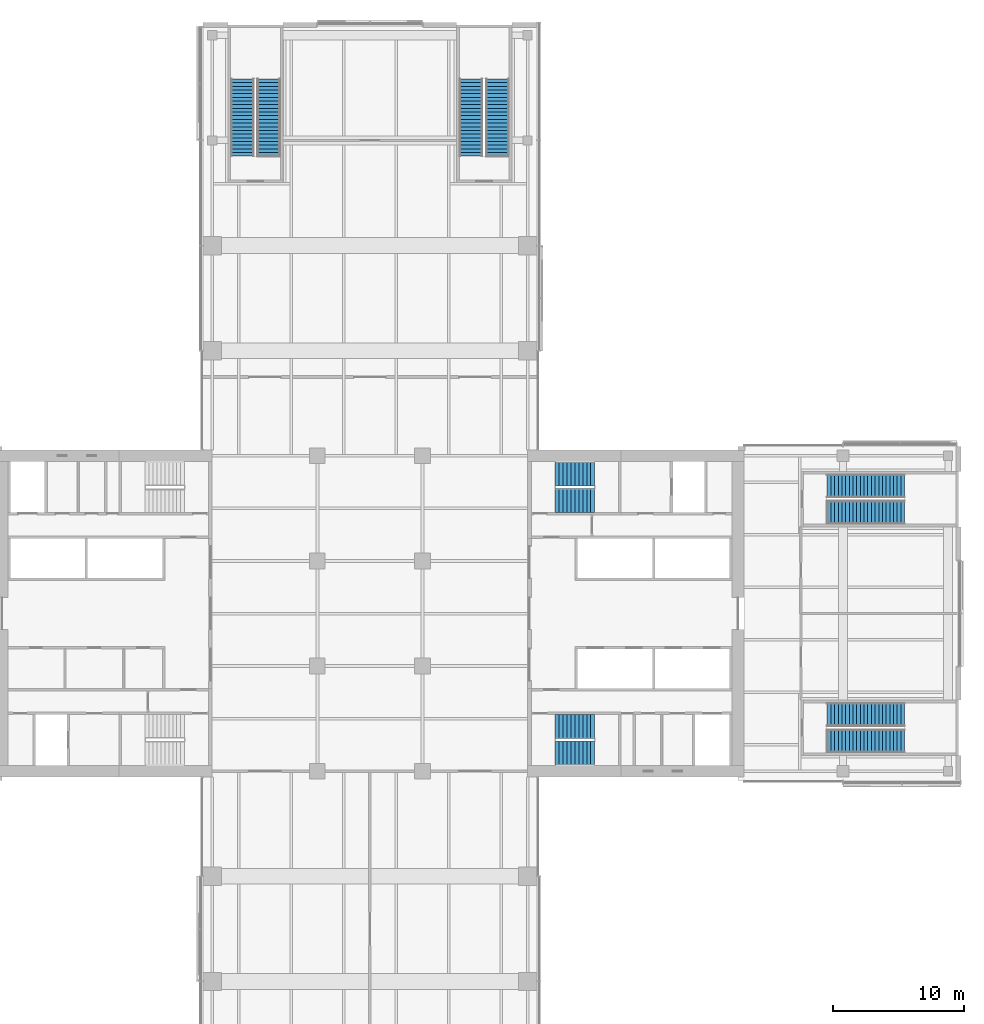
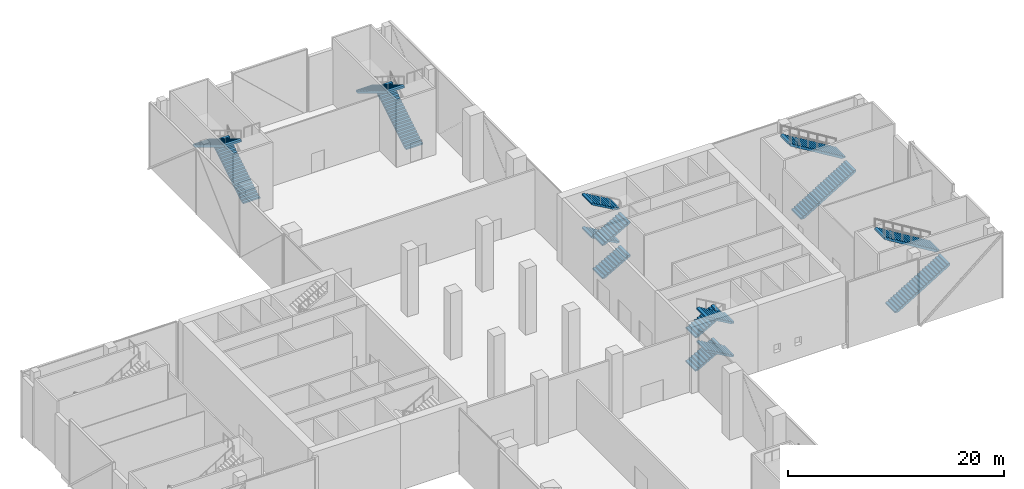
# One storey, part 19 of 25: 16 stair flights, 6 elements without a shape of their own.
"""IFC4 building model written with IfcOpenShell, lengths in metres."""

from ifc_helpers import new_model, si_unit, direction, frame, origin, place, context, subcontext, project, spatial, polyline, outline, extrude, material, type_object, element, aggregate, save


model = new_model("IFC4")

# Units and contexts
model_context = context("Model", 3, precision=1e-05, world=origin(), true_north=direction((0.0, 1.0)))
body_context = subcontext(model_context, "Body", "Model", "MODEL_VIEW")
ifc_project = project(units=[si_unit("LENGTHUNIT", "METRE"), si_unit("AREAUNIT", "SQUARE_METRE"), si_unit("VOLUMEUNIT", "CUBIC_METRE"), si_unit("PLANEANGLEUNIT", "RADIAN"), si_unit("MASSUNIT", "GRAM", prefix="KILO")], contexts=[model_context])

# Site, building, storey
site_placement = place(None, origin())
site = spatial("IfcSite", under=ifc_project, at=site_placement, CompositionType="ELEMENT")
building_placement = place(site_placement, origin())
building = spatial("IfcBuilding", under=site, at=building_placement, Name="Crosswind Convention Tower", CompositionType="ELEMENT")
storey_placement = place(building_placement, frame((0.0, 0.0, 34.0)))
storey = spatial("IfcBuildingStorey", under=building, at=storey_placement, Name="L04", CompositionType="ELEMENT", Elevation=34.0)

# Stair, stair flights
ifc_material = material(Name="Concrete C40/50", Category="concrete")
stair_type_1 = type_object("IfcStairType", Name="PODIUM EXIT STAIR 7500 RISE", PredefinedType="HALF_TURN_STAIR", material=ifc_material)
stair_1_placement = place(storey_placement, origin())
stair_1 = element("IfcStair", 1, at=stair_1_placement, inside=storey, type_object=stair_type_1, Name="Exit stair E1 L04", ObjectType="ST11", PredefinedType="HALF_TURN_STAIR")
stair_flight_type_1 = type_object("IfcStairFlightType", Name="PODIUM STAIR FLIGHT 22 RISERS", PredefinedType="STRAIGHT", material=ifc_material)
stair_flight_1_placement = place(storey_placement, frame((159.800048828125, 90.300048828125, 0.0), z_axis=(0.0, 0.0, 1.0), x_axis=(1.0, 0.0, 0.0)))
stair_flight_1 = element("IfcStairFlight", 2, at=stair_flight_1_placement, type_object=stair_flight_type_1, Name="ST11 flight 1", NumberOfRisers=22, NumberOfTreads=21, PredefinedType="STRAIGHT", RiserHeight=0.170455, TreadLength=0.28, context=body_context, shape_type="SweptSolid", body=[
    extrude(outline(polyline([(0.0, 0.0), (0.0, 0.17041015625), (0.280029296875, 0.17041015625), (0.280029296875, 0.3408203125), (0.56005859375, 0.3408203125), (0.56005859375, 0.511474609375), (0.840087890625, 0.511474609375), (0.840087890625, 0.681884765625), (1.1201171875, 0.681884765625), (1.1201171875, 0.852294921875), (1.39990234375, 0.852294921875), (1.39990234375, 1.022705078125), (1.679931640625, 1.022705078125), (1.679931640625, 1.193115234375), (1.9599609375, 1.193115234375), (1.9599609375, 1.363525390625), (2.239990234375, 1.363525390625), (2.239990234375, 1.5341796875), (2.52001953125, 1.5341796875), (2.52001953125, 1.70458984375), (2.800048828125, 1.70458984375), (2.800048828125, 1.875), (3.080078125, 1.875), (3.080078125, 2.04541015625), (3.360107421875, 2.04541015625), (3.360107421875, 2.2158203125), (3.639892578125, 2.2158203125), (3.639892578125, 2.386474609375), (3.919921875, 2.386474609375), (3.919921875, 2.556884765625), (4.199951171875, 2.556884765625), (4.199951171875, 2.727294921875), (4.47998046875, 2.727294921875), (4.47998046875, 2.897705078125), (4.760009765625, 2.897705078125), (4.760009765625, 3.068115234375), (5.0400390625, 3.068115234375), (5.0400390625, 3.238525390625), (5.320068359375, 3.238525390625), (5.320068359375, 3.4091796875), (5.60009765625, 3.4091796875), (5.60009765625, 3.57958984375), (5.8798828125, 3.57958984375), (5.8798828125, 3.75), (5.8798828125, 3.345458984375), (0.384521484375, 0.0), (0.0, 0.0)])), frame((0.0, 0.89990234375, 0.0), z_axis=(0.0, -1.0, 0.0), x_axis=(1.0, 0.0, 0.0)), (0.0, 0.0, 1.0), 1.800048828125),
])
stair_flight_2_placement = place(storey_placement, frame((165.679931640625, 92.300048828125, 3.75), z_axis=(0.0, 0.0, 1.0), x_axis=(-1.0, 0.0, 0.0)))
stair_flight_2 = element("IfcStairFlight", 3, at=stair_flight_2_placement, type_object=stair_flight_type_1, Name="ST11 flight 2", NumberOfRisers=22, NumberOfTreads=21, PredefinedType="STRAIGHT", RiserHeight=0.170455, TreadLength=0.28, context=body_context, shape_type="SweptSolid", body=[
    extrude(outline(polyline([(0.0, 0.0), (0.0, 0.17041015625), (0.280029296875, 0.17041015625), (0.280029296875, 0.3408203125), (0.56005859375, 0.3408203125), (0.56005859375, 0.511474609375), (0.840087890625, 0.511474609375), (0.840087890625, 0.681884765625), (1.1201171875, 0.681884765625), (1.1201171875, 0.852294921875), (1.39990234375, 0.852294921875), (1.39990234375, 1.022705078125), (1.679931640625, 1.022705078125), (1.679931640625, 1.193115234375), (1.9599609375, 1.193115234375), (1.9599609375, 1.363525390625), (2.239990234375, 1.363525390625), (2.239990234375, 1.5341796875), (2.52001953125, 1.5341796875), (2.52001953125, 1.70458984375), (2.800048828125, 1.70458984375), (2.800048828125, 1.875), (3.080078125, 1.875), (3.080078125, 2.04541015625), (3.360107421875, 2.04541015625), (3.360107421875, 2.2158203125), (3.639892578125, 2.2158203125), (3.639892578125, 2.386474609375), (3.919921875, 2.386474609375), (3.919921875, 2.556884765625), (4.199951171875, 2.556884765625), (4.199951171875, 2.727294921875), (4.47998046875, 2.727294921875), (4.47998046875, 2.897705078125), (4.760009765625, 2.897705078125), (4.760009765625, 3.068115234375), (5.0400390625, 3.068115234375), (5.0400390625, 3.238525390625), (5.320068359375, 3.238525390625), (5.320068359375, 3.4091796875), (5.60009765625, 3.4091796875), (5.60009765625, 3.57958984375), (5.8798828125, 3.57958984375), (5.8798828125, 3.75), (5.8798828125, 3.345458984375), (0.384521484375, 0.0), (0.0, 0.0)])), frame((0.0, 0.89990234375, 0.0), z_axis=(0.0, -1.0, 0.0), x_axis=(1.0, 0.0, 0.0)), (0.0, 0.0, 1.0), 1.800048828125),
])
aggregate(stair_1, [stair_flight_1, stair_flight_2])

stair_2_placement = place(storey_placement, origin())
stair_2 = element("IfcStair", 4, at=stair_2_placement, inside=storey, type_object=stair_type_1, Name="Exit stair E2 L04", ObjectType="ST11", PredefinedType="HALF_TURN_STAIR")
stair_flight_3_placement = place(storey_placement, frame((159.800048828125, 107.699951171875, 0.0), z_axis=(0.0, 0.0, 1.0), x_axis=(1.0, 0.0, 0.0)))
stair_flight_3 = element("IfcStairFlight", 5, at=stair_flight_3_placement, type_object=stair_flight_type_1, Name="ST11 flight 1", NumberOfRisers=22, NumberOfTreads=21, PredefinedType="STRAIGHT", RiserHeight=0.170455, TreadLength=0.28, context=body_context, shape_type="SweptSolid", body=[
    extrude(outline(polyline([(0.0, 0.0), (0.0, 0.17041015625), (0.280029296875, 0.17041015625), (0.280029296875, 0.3408203125), (0.56005859375, 0.3408203125), (0.56005859375, 0.511474609375), (0.840087890625, 0.511474609375), (0.840087890625, 0.681884765625), (1.1201171875, 0.681884765625), (1.1201171875, 0.852294921875), (1.39990234375, 0.852294921875), (1.39990234375, 1.022705078125), (1.679931640625, 1.022705078125), (1.679931640625, 1.193115234375), (1.9599609375, 1.193115234375), (1.9599609375, 1.363525390625), (2.239990234375, 1.363525390625), (2.239990234375, 1.5341796875), (2.52001953125, 1.5341796875), (2.52001953125, 1.70458984375), (2.800048828125, 1.70458984375), (2.800048828125, 1.875), (3.080078125, 1.875), (3.080078125, 2.04541015625), (3.360107421875, 2.04541015625), (3.360107421875, 2.2158203125), (3.639892578125, 2.2158203125), (3.639892578125, 2.386474609375), (3.919921875, 2.386474609375), (3.919921875, 2.556884765625), (4.199951171875, 2.556884765625), (4.199951171875, 2.727294921875), (4.47998046875, 2.727294921875), (4.47998046875, 2.897705078125), (4.760009765625, 2.897705078125), (4.760009765625, 3.068115234375), (5.0400390625, 3.068115234375), (5.0400390625, 3.238525390625), (5.320068359375, 3.238525390625), (5.320068359375, 3.4091796875), (5.60009765625, 3.4091796875), (5.60009765625, 3.57958984375), (5.8798828125, 3.57958984375), (5.8798828125, 3.75), (5.8798828125, 3.345458984375), (0.384521484375, 0.0), (0.0, 0.0)])), frame((0.0, 0.89990234375, 0.0), z_axis=(0.0, -1.0, 0.0), x_axis=(1.0, 0.0, 0.0)), (0.0, 0.0, 1.0), 1.800048828125),
])
stair_flight_4_placement = place(storey_placement, frame((165.679931640625, 109.699951171875, 3.75), z_axis=(0.0, 0.0, 1.0), x_axis=(-1.0, 0.0, 0.0)))
stair_flight_4 = element("IfcStairFlight", 6, at=stair_flight_4_placement, type_object=stair_flight_type_1, Name="ST11 flight 2", NumberOfRisers=22, NumberOfTreads=21, PredefinedType="STRAIGHT", RiserHeight=0.170455, TreadLength=0.28, context=body_context, shape_type="SweptSolid", body=[
    extrude(outline(polyline([(0.0, 0.0), (0.0, 0.17041015625), (0.280029296875, 0.17041015625), (0.280029296875, 0.3408203125), (0.56005859375, 0.3408203125), (0.56005859375, 0.511474609375), (0.840087890625, 0.511474609375), (0.840087890625, 0.681884765625), (1.1201171875, 0.681884765625), (1.1201171875, 0.852294921875), (1.39990234375, 0.852294921875), (1.39990234375, 1.022705078125), (1.679931640625, 1.022705078125), (1.679931640625, 1.193115234375), (1.9599609375, 1.193115234375), (1.9599609375, 1.363525390625), (2.239990234375, 1.363525390625), (2.239990234375, 1.5341796875), (2.52001953125, 1.5341796875), (2.52001953125, 1.70458984375), (2.800048828125, 1.70458984375), (2.800048828125, 1.875), (3.080078125, 1.875), (3.080078125, 2.04541015625), (3.360107421875, 2.04541015625), (3.360107421875, 2.2158203125), (3.639892578125, 2.2158203125), (3.639892578125, 2.386474609375), (3.919921875, 2.386474609375), (3.919921875, 2.556884765625), (4.199951171875, 2.556884765625), (4.199951171875, 2.727294921875), (4.47998046875, 2.727294921875), (4.47998046875, 2.897705078125), (4.760009765625, 2.897705078125), (4.760009765625, 3.068115234375), (5.0400390625, 3.068115234375), (5.0400390625, 3.238525390625), (5.320068359375, 3.238525390625), (5.320068359375, 3.4091796875), (5.60009765625, 3.4091796875), (5.60009765625, 3.57958984375), (5.8798828125, 3.57958984375), (5.8798828125, 3.75), (5.8798828125, 3.345458984375), (0.384521484375, 0.0), (0.0, 0.0)])), frame((0.0, 0.89990234375, 0.0), z_axis=(0.0, -1.0, 0.0), x_axis=(1.0, 0.0, 0.0)), (0.0, 0.0, 1.0), 1.800048828125),
])
aggregate(stair_2, [stair_flight_3, stair_flight_4])

stair_3_placement = place(storey_placement, origin())
stair_3 = element("IfcStair", 7, at=stair_3_placement, inside=storey, type_object=stair_type_1, Name="Exit stair N1 L04", ObjectType="ST11", PredefinedType="HALF_TURN_STAIR")
stair_flight_5_placement = place(storey_placement, frame((117.300048828125, 134.800048828125, 0.0), z_axis=(0.0, 0.0, 1.0), x_axis=(0.0, 1.0, 0.0)))
stair_flight_5 = element("IfcStairFlight", 8, at=stair_flight_5_placement, type_object=stair_flight_type_1, Name="ST11 flight 1", NumberOfRisers=22, NumberOfTreads=21, PredefinedType="STRAIGHT", RiserHeight=0.170455, TreadLength=0.28, context=body_context, shape_type="SweptSolid", body=[
    extrude(outline(polyline([(0.0, 0.0), (0.0, 0.17041015625), (0.280029296875, 0.17041015625), (0.280029296875, 0.3408203125), (0.56005859375, 0.3408203125), (0.56005859375, 0.511474609375), (0.840087890625, 0.511474609375), (0.840087890625, 0.681884765625), (1.1201171875, 0.681884765625), (1.1201171875, 0.852294921875), (1.39990234375, 0.852294921875), (1.39990234375, 1.022705078125), (1.679931640625, 1.022705078125), (1.679931640625, 1.193115234375), (1.9599609375, 1.193115234375), (1.9599609375, 1.363525390625), (2.239990234375, 1.363525390625), (2.239990234375, 1.5341796875), (2.52001953125, 1.5341796875), (2.52001953125, 1.70458984375), (2.800048828125, 1.70458984375), (2.800048828125, 1.875), (3.080078125, 1.875), (3.080078125, 2.04541015625), (3.360107421875, 2.04541015625), (3.360107421875, 2.2158203125), (3.639892578125, 2.2158203125), (3.639892578125, 2.386474609375), (3.919921875, 2.386474609375), (3.919921875, 2.556884765625), (4.199951171875, 2.556884765625), (4.199951171875, 2.727294921875), (4.47998046875, 2.727294921875), (4.47998046875, 2.897705078125), (4.760009765625, 2.897705078125), (4.760009765625, 3.068115234375), (5.0400390625, 3.068115234375), (5.0400390625, 3.238525390625), (5.320068359375, 3.238525390625), (5.320068359375, 3.4091796875), (5.60009765625, 3.4091796875), (5.60009765625, 3.57958984375), (5.8798828125, 3.57958984375), (5.8798828125, 3.75), (5.8798828125, 3.345458984375), (0.384521484375, 0.0), (0.0, 0.0)])), frame((0.0, 0.89990234375, 0.0), z_axis=(0.0, -1.0, 0.0), x_axis=(1.0, 0.0, 0.0)), (0.0, 0.0, 1.0), 1.800048828125),
])
stair_flight_6_placement = place(storey_placement, frame((115.300048828125, 140.679931640625, 3.75), z_axis=(0.0, 0.0, 1.0), x_axis=(0.0, -1.0, 0.0)))
stair_flight_6 = element("IfcStairFlight", 9, at=stair_flight_6_placement, type_object=stair_flight_type_1, Name="ST11 flight 2", NumberOfRisers=22, NumberOfTreads=21, PredefinedType="STRAIGHT", RiserHeight=0.170455, TreadLength=0.28, context=body_context, shape_type="SweptSolid", body=[
    extrude(outline(polyline([(0.0, 0.0), (0.0, 0.17041015625), (0.280029296875, 0.17041015625), (0.280029296875, 0.3408203125), (0.56005859375, 0.3408203125), (0.56005859375, 0.511474609375), (0.840087890625, 0.511474609375), (0.840087890625, 0.681884765625), (1.1201171875, 0.681884765625), (1.1201171875, 0.852294921875), (1.39990234375, 0.852294921875), (1.39990234375, 1.022705078125), (1.679931640625, 1.022705078125), (1.679931640625, 1.193115234375), (1.9599609375, 1.193115234375), (1.9599609375, 1.363525390625), (2.239990234375, 1.363525390625), (2.239990234375, 1.5341796875), (2.52001953125, 1.5341796875), (2.52001953125, 1.70458984375), (2.800048828125, 1.70458984375), (2.800048828125, 1.875), (3.080078125, 1.875), (3.080078125, 2.04541015625), (3.360107421875, 2.04541015625), (3.360107421875, 2.2158203125), (3.639892578125, 2.2158203125), (3.639892578125, 2.386474609375), (3.919921875, 2.386474609375), (3.919921875, 2.556884765625), (4.199951171875, 2.556884765625), (4.199951171875, 2.727294921875), (4.47998046875, 2.727294921875), (4.47998046875, 2.897705078125), (4.760009765625, 2.897705078125), (4.760009765625, 3.068115234375), (5.0400390625, 3.068115234375), (5.0400390625, 3.238525390625), (5.320068359375, 3.238525390625), (5.320068359375, 3.4091796875), (5.60009765625, 3.4091796875), (5.60009765625, 3.57958984375), (5.8798828125, 3.57958984375), (5.8798828125, 3.75), (5.8798828125, 3.345458984375), (0.384521484375, 0.0), (0.0, 0.0)])), frame((0.0, 0.89990234375, 0.0), z_axis=(0.0, -1.0, 0.0), x_axis=(1.0, 0.0, 0.0)), (0.0, 0.0, 1.0), 1.800048828125),
])
aggregate(stair_3, [stair_flight_5, stair_flight_6])

stair_4_placement = place(storey_placement, origin())
stair_4 = element("IfcStair", 10, at=stair_4_placement, inside=storey, type_object=stair_type_1, Name="Exit stair N2 L04", ObjectType="ST11", PredefinedType="HALF_TURN_STAIR")
stair_flight_7_placement = place(storey_placement, frame((134.699951171875, 134.800048828125, 0.0), z_axis=(0.0, 0.0, 1.0), x_axis=(0.0, 1.0, 0.0)))
stair_flight_7 = element("IfcStairFlight", 11, at=stair_flight_7_placement, type_object=stair_flight_type_1, Name="ST11 flight 1", NumberOfRisers=22, NumberOfTreads=21, PredefinedType="STRAIGHT", RiserHeight=0.170455, TreadLength=0.28, context=body_context, shape_type="SweptSolid", body=[
    extrude(outline(polyline([(0.0, 0.0), (0.0, 0.17041015625), (0.280029296875, 0.17041015625), (0.280029296875, 0.3408203125), (0.56005859375, 0.3408203125), (0.56005859375, 0.511474609375), (0.840087890625, 0.511474609375), (0.840087890625, 0.681884765625), (1.1201171875, 0.681884765625), (1.1201171875, 0.852294921875), (1.39990234375, 0.852294921875), (1.39990234375, 1.022705078125), (1.679931640625, 1.022705078125), (1.679931640625, 1.193115234375), (1.9599609375, 1.193115234375), (1.9599609375, 1.363525390625), (2.239990234375, 1.363525390625), (2.239990234375, 1.5341796875), (2.52001953125, 1.5341796875), (2.52001953125, 1.70458984375), (2.800048828125, 1.70458984375), (2.800048828125, 1.875), (3.080078125, 1.875), (3.080078125, 2.04541015625), (3.360107421875, 2.04541015625), (3.360107421875, 2.2158203125), (3.639892578125, 2.2158203125), (3.639892578125, 2.386474609375), (3.919921875, 2.386474609375), (3.919921875, 2.556884765625), (4.199951171875, 2.556884765625), (4.199951171875, 2.727294921875), (4.47998046875, 2.727294921875), (4.47998046875, 2.897705078125), (4.760009765625, 2.897705078125), (4.760009765625, 3.068115234375), (5.0400390625, 3.068115234375), (5.0400390625, 3.238525390625), (5.320068359375, 3.238525390625), (5.320068359375, 3.4091796875), (5.60009765625, 3.4091796875), (5.60009765625, 3.57958984375), (5.8798828125, 3.57958984375), (5.8798828125, 3.75), (5.8798828125, 3.345458984375), (0.384521484375, 0.0), (0.0, 0.0)])), frame((0.0, 0.89990234375, 0.0), z_axis=(0.0, -1.0, 0.0), x_axis=(1.0, 0.0, 0.0)), (0.0, 0.0, 1.0), 1.800048828125),
])
stair_flight_8_placement = place(storey_placement, frame((132.699951171875, 140.679931640625, 3.75), z_axis=(0.0, 0.0, 1.0), x_axis=(0.0, -1.0, 0.0)))
stair_flight_8 = element("IfcStairFlight", 12, at=stair_flight_8_placement, type_object=stair_flight_type_1, Name="ST11 flight 2", NumberOfRisers=22, NumberOfTreads=21, PredefinedType="STRAIGHT", RiserHeight=0.170455, TreadLength=0.28, context=body_context, shape_type="SweptSolid", body=[
    extrude(outline(polyline([(0.0, 0.0), (0.0, 0.17041015625), (0.280029296875, 0.17041015625), (0.280029296875, 0.3408203125), (0.56005859375, 0.3408203125), (0.56005859375, 0.511474609375), (0.840087890625, 0.511474609375), (0.840087890625, 0.681884765625), (1.1201171875, 0.681884765625), (1.1201171875, 0.852294921875), (1.39990234375, 0.852294921875), (1.39990234375, 1.022705078125), (1.679931640625, 1.022705078125), (1.679931640625, 1.193115234375), (1.9599609375, 1.193115234375), (1.9599609375, 1.363525390625), (2.239990234375, 1.363525390625), (2.239990234375, 1.5341796875), (2.52001953125, 1.5341796875), (2.52001953125, 1.70458984375), (2.800048828125, 1.70458984375), (2.800048828125, 1.875), (3.080078125, 1.875), (3.080078125, 2.04541015625), (3.360107421875, 2.04541015625), (3.360107421875, 2.2158203125), (3.639892578125, 2.2158203125), (3.639892578125, 2.386474609375), (3.919921875, 2.386474609375), (3.919921875, 2.556884765625), (4.199951171875, 2.556884765625), (4.199951171875, 2.727294921875), (4.47998046875, 2.727294921875), (4.47998046875, 2.897705078125), (4.760009765625, 2.897705078125), (4.760009765625, 3.068115234375), (5.0400390625, 3.068115234375), (5.0400390625, 3.238525390625), (5.320068359375, 3.238525390625), (5.320068359375, 3.4091796875), (5.60009765625, 3.4091796875), (5.60009765625, 3.57958984375), (5.8798828125, 3.57958984375), (5.8798828125, 3.75), (5.8798828125, 3.345458984375), (0.384521484375, 0.0), (0.0, 0.0)])), frame((0.0, 0.89990234375, 0.0), z_axis=(0.0, -1.0, 0.0), x_axis=(1.0, 0.0, 0.0)), (0.0, 0.0, 1.0), 1.800048828125),
])
aggregate(stair_4, [stair_flight_7, stair_flight_8])

stair_type_2 = type_object("IfcStairType", Name="Exit stair 1800 wide, 4 flights of 11 risers", PredefinedType="HALF_TURN_STAIR", material=ifc_material)
stair_5_placement = place(storey_placement, origin())
stair_5 = element("IfcStair", 13, at=stair_5_placement, inside=storey, type_object=stair_type_2, Name="Exit stair ST1 L04", ObjectType="ST6", PredefinedType="HALF_TURN_STAIR")
stair_flight_type_2 = type_object("IfcStairFlightType", Name="Stair flight 1800 wide, 11 risers (SF3)", PredefinedType="STRAIGHT", material=ifc_material)
stair_flight_9_placement = place(storey_placement, frame((139.10009765625, 108.60009765625, 0.0), z_axis=(0.0, 0.0, 1.0), x_axis=(1.0, 0.0, 0.0)))
stair_flight_9 = element("IfcStairFlight", 14, at=stair_flight_9_placement, type_object=stair_flight_type_2, Name="ST1 flight 1", NumberOfRisers=11, NumberOfTreads=10, PredefinedType="STRAIGHT", RiserHeight=0.170454545, TreadLength=0.3, context=body_context, shape_type="SweptSolid", body=[
    extrude(outline(polyline([(0.0, 0.0), (0.0, 0.17041015625), (0.300048828125, 0.17041015625), (0.300048828125, 0.3408203125), (0.60009765625, 0.3408203125), (0.60009765625, 0.511474609375), (0.89990234375, 0.511474609375), (0.89990234375, 0.681884765625), (1.199951171875, 0.681884765625), (1.199951171875, 0.852294921875), (1.5, 0.852294921875), (1.5, 1.022705078125), (1.800048828125, 1.022705078125), (1.800048828125, 1.193115234375), (2.10009765625, 1.193115234375), (2.10009765625, 1.363525390625), (2.39990234375, 1.363525390625), (2.39990234375, 1.5341796875), (2.699951171875, 1.5341796875), (2.699951171875, 1.70458984375), (3.0, 1.70458984375), (3.0, 1.875), (3.0, 1.5322265625), (0.303466796875, 0.0), (0.0, 0.0)])), frame((0.0, 0.89990234375, 0.0), z_axis=(0.0, -1.0, 0.0), x_axis=(1.0, 0.0, 0.0)), (0.0, 0.0, 1.0), 1.800048828125),
])
stair_flight_10_placement = place(storey_placement, frame((142.10009765625, 110.60009765625, 1.875), z_axis=(0.0, 0.0, 1.0), x_axis=(-1.0, 0.0, 0.0)))
stair_flight_10 = element("IfcStairFlight", 15, at=stair_flight_10_placement, type_object=stair_flight_type_2, Name="ST1 flight 2", NumberOfRisers=11, NumberOfTreads=10, PredefinedType="STRAIGHT", RiserHeight=0.170454545, TreadLength=0.3, context=body_context, shape_type="SweptSolid", body=[
    extrude(outline(polyline([(0.0, 0.0), (0.0, 0.17041015625), (0.300048828125, 0.17041015625), (0.300048828125, 0.3408203125), (0.60009765625, 0.3408203125), (0.60009765625, 0.511474609375), (0.89990234375, 0.511474609375), (0.89990234375, 0.681884765625), (1.199951171875, 0.681884765625), (1.199951171875, 0.852294921875), (1.5, 0.852294921875), (1.5, 1.022705078125), (1.800048828125, 1.022705078125), (1.800048828125, 1.193115234375), (2.10009765625, 1.193115234375), (2.10009765625, 1.363525390625), (2.39990234375, 1.363525390625), (2.39990234375, 1.5341796875), (2.699951171875, 1.5341796875), (2.699951171875, 1.70458984375), (3.0, 1.70458984375), (3.0, 1.875), (3.0, 1.5322265625), (0.303466796875, 0.0), (0.0, 0.0)])), frame((0.0, 0.89990234375, 0.0), z_axis=(0.0, -1.0, 0.0), x_axis=(1.0, 0.0, 0.0)), (0.0, 0.0, 1.0), 1.800048828125),
])
stair_flight_11_placement = place(storey_placement, frame((139.10009765625, 108.60009765625, 3.75), z_axis=(0.0, 0.0, 1.0), x_axis=(1.0, 0.0, 0.0)))
stair_flight_11 = element("IfcStairFlight", 16, at=stair_flight_11_placement, type_object=stair_flight_type_2, Name="ST1 flight 3", NumberOfRisers=11, NumberOfTreads=10, PredefinedType="STRAIGHT", RiserHeight=0.170454545, TreadLength=0.3, context=body_context, shape_type="SweptSolid", body=[
    extrude(outline(polyline([(0.0, 0.0), (0.0, 0.17041015625), (0.300048828125, 0.17041015625), (0.300048828125, 0.3408203125), (0.60009765625, 0.3408203125), (0.60009765625, 0.511474609375), (0.89990234375, 0.511474609375), (0.89990234375, 0.681884765625), (1.199951171875, 0.681884765625), (1.199951171875, 0.852294921875), (1.5, 0.852294921875), (1.5, 1.022705078125), (1.800048828125, 1.022705078125), (1.800048828125, 1.193115234375), (2.10009765625, 1.193115234375), (2.10009765625, 1.363525390625), (2.39990234375, 1.363525390625), (2.39990234375, 1.5341796875), (2.699951171875, 1.5341796875), (2.699951171875, 1.70458984375), (3.0, 1.70458984375), (3.0, 1.875), (3.0, 1.5322265625), (0.303466796875, 0.0), (0.0, 0.0)])), frame((0.0, 0.89990234375, 0.0), z_axis=(0.0, -1.0, 0.0), x_axis=(1.0, 0.0, 0.0)), (0.0, 0.0, 1.0), 1.800048828125),
])
stair_flight_12_placement = place(storey_placement, frame((142.10009765625, 110.60009765625, 5.625), z_axis=(0.0, 0.0, 1.0), x_axis=(-1.0, 0.0, 0.0)))
stair_flight_12 = element("IfcStairFlight", 17, at=stair_flight_12_placement, type_object=stair_flight_type_2, Name="ST1 flight 4", NumberOfRisers=11, NumberOfTreads=10, PredefinedType="STRAIGHT", RiserHeight=0.170454545, TreadLength=0.3, context=body_context, shape_type="SweptSolid", body=[
    extrude(outline(polyline([(0.0, 0.0), (0.0, 0.17041015625), (0.300048828125, 0.17041015625), (0.300048828125, 0.3408203125), (0.60009765625, 0.3408203125), (0.60009765625, 0.511474609375), (0.89990234375, 0.511474609375), (0.89990234375, 0.681884765625), (1.199951171875, 0.681884765625), (1.199951171875, 0.852294921875), (1.5, 0.852294921875), (1.5, 1.022705078125), (1.800048828125, 1.022705078125), (1.800048828125, 1.193115234375), (2.10009765625, 1.193115234375), (2.10009765625, 1.363525390625), (2.39990234375, 1.363525390625), (2.39990234375, 1.5341796875), (2.699951171875, 1.5341796875), (2.699951171875, 1.70458984375), (3.0, 1.70458984375), (3.0, 1.875), (3.0, 1.5322265625), (0.303466796875, 0.0), (0.0, 0.0)])), frame((0.0, 0.89990234375, 0.0), z_axis=(0.0, -1.0, 0.0), x_axis=(1.0, 0.0, 0.0)), (0.0, 0.0, 1.0), 1.800048828125),
])
aggregate(stair_5, [stair_flight_9, stair_flight_10, stair_flight_11, stair_flight_12])

stair_6_placement = place(storey_placement, origin())
stair_6 = element("IfcStair", 18, at=stair_6_placement, inside=storey, type_object=stair_type_2, Name="Exit stair ST2 L04", ObjectType="ST6", PredefinedType="HALF_TURN_STAIR")
stair_flight_13_placement = place(storey_placement, frame((139.10009765625, 91.39990234375, 0.0), z_axis=(0.0, 0.0, 1.0), x_axis=(1.0, 0.0, 0.0)))
stair_flight_13 = element("IfcStairFlight", 19, at=stair_flight_13_placement, type_object=stair_flight_type_2, Name="ST2 flight 1", NumberOfRisers=11, NumberOfTreads=10, PredefinedType="STRAIGHT", RiserHeight=0.170454545, TreadLength=0.3, context=body_context, shape_type="SweptSolid", body=[
    extrude(outline(polyline([(0.0, 0.0), (0.0, 0.17041015625), (0.300048828125, 0.17041015625), (0.300048828125, 0.3408203125), (0.60009765625, 0.3408203125), (0.60009765625, 0.511474609375), (0.89990234375, 0.511474609375), (0.89990234375, 0.681884765625), (1.199951171875, 0.681884765625), (1.199951171875, 0.852294921875), (1.5, 0.852294921875), (1.5, 1.022705078125), (1.800048828125, 1.022705078125), (1.800048828125, 1.193115234375), (2.10009765625, 1.193115234375), (2.10009765625, 1.363525390625), (2.39990234375, 1.363525390625), (2.39990234375, 1.5341796875), (2.699951171875, 1.5341796875), (2.699951171875, 1.70458984375), (3.0, 1.70458984375), (3.0, 1.875), (3.0, 1.5322265625), (0.303466796875, 0.0), (0.0, 0.0)])), frame((0.0, 0.89990234375, 0.0), z_axis=(0.0, -1.0, 0.0), x_axis=(1.0, 0.0, 0.0)), (0.0, 0.0, 1.0), 1.800048828125),
])
stair_flight_14_placement = place(storey_placement, frame((142.10009765625, 89.39990234375, 1.875), z_axis=(0.0, 0.0, 1.0), x_axis=(-1.0, 0.0, 0.0)))
stair_flight_14 = element("IfcStairFlight", 20, at=stair_flight_14_placement, type_object=stair_flight_type_2, Name="ST2 flight 2", NumberOfRisers=11, NumberOfTreads=10, PredefinedType="STRAIGHT", RiserHeight=0.170454545, TreadLength=0.3, context=body_context, shape_type="SweptSolid", body=[
    extrude(outline(polyline([(0.0, 0.0), (0.0, 0.17041015625), (0.300048828125, 0.17041015625), (0.300048828125, 0.3408203125), (0.60009765625, 0.3408203125), (0.60009765625, 0.511474609375), (0.89990234375, 0.511474609375), (0.89990234375, 0.681884765625), (1.199951171875, 0.681884765625), (1.199951171875, 0.852294921875), (1.5, 0.852294921875), (1.5, 1.022705078125), (1.800048828125, 1.022705078125), (1.800048828125, 1.193115234375), (2.10009765625, 1.193115234375), (2.10009765625, 1.363525390625), (2.39990234375, 1.363525390625), (2.39990234375, 1.5341796875), (2.699951171875, 1.5341796875), (2.699951171875, 1.70458984375), (3.0, 1.70458984375), (3.0, 1.875), (3.0, 1.5322265625), (0.303466796875, 0.0), (0.0, 0.0)])), frame((0.0, 0.89990234375, 0.0), z_axis=(0.0, -1.0, 0.0), x_axis=(1.0, 0.0, 0.0)), (0.0, 0.0, 1.0), 1.800048828125),
])
stair_flight_15_placement = place(storey_placement, frame((139.10009765625, 91.39990234375, 3.75), z_axis=(0.0, 0.0, 1.0), x_axis=(1.0, 0.0, 0.0)))
stair_flight_15 = element("IfcStairFlight", 21, at=stair_flight_15_placement, type_object=stair_flight_type_2, Name="ST2 flight 3", NumberOfRisers=11, NumberOfTreads=10, PredefinedType="STRAIGHT", RiserHeight=0.170454545, TreadLength=0.3, context=body_context, shape_type="SweptSolid", body=[
    extrude(outline(polyline([(0.0, 0.0), (0.0, 0.17041015625), (0.300048828125, 0.17041015625), (0.300048828125, 0.3408203125), (0.60009765625, 0.3408203125), (0.60009765625, 0.511474609375), (0.89990234375, 0.511474609375), (0.89990234375, 0.681884765625), (1.199951171875, 0.681884765625), (1.199951171875, 0.852294921875), (1.5, 0.852294921875), (1.5, 1.022705078125), (1.800048828125, 1.022705078125), (1.800048828125, 1.193115234375), (2.10009765625, 1.193115234375), (2.10009765625, 1.363525390625), (2.39990234375, 1.363525390625), (2.39990234375, 1.5341796875), (2.699951171875, 1.5341796875), (2.699951171875, 1.70458984375), (3.0, 1.70458984375), (3.0, 1.875), (3.0, 1.5322265625), (0.303466796875, 0.0), (0.0, 0.0)])), frame((0.0, 0.89990234375, 0.0), z_axis=(0.0, -1.0, 0.0), x_axis=(1.0, 0.0, 0.0)), (0.0, 0.0, 1.0), 1.800048828125),
])
stair_flight_16_placement = place(storey_placement, frame((142.10009765625, 89.39990234375, 5.625), z_axis=(0.0, 0.0, 1.0), x_axis=(-1.0, 0.0, 0.0)))
stair_flight_16 = element("IfcStairFlight", 22, at=stair_flight_16_placement, type_object=stair_flight_type_2, Name="ST2 flight 4", NumberOfRisers=11, NumberOfTreads=10, PredefinedType="STRAIGHT", RiserHeight=0.170454545, TreadLength=0.3, context=body_context, shape_type="SweptSolid", body=[
    extrude(outline(polyline([(0.0, 0.0), (0.0, 0.17041015625), (0.300048828125, 0.17041015625), (0.300048828125, 0.3408203125), (0.60009765625, 0.3408203125), (0.60009765625, 0.511474609375), (0.89990234375, 0.511474609375), (0.89990234375, 0.681884765625), (1.199951171875, 0.681884765625), (1.199951171875, 0.852294921875), (1.5, 0.852294921875), (1.5, 1.022705078125), (1.800048828125, 1.022705078125), (1.800048828125, 1.193115234375), (2.10009765625, 1.193115234375), (2.10009765625, 1.363525390625), (2.39990234375, 1.363525390625), (2.39990234375, 1.5341796875), (2.699951171875, 1.5341796875), (2.699951171875, 1.70458984375), (3.0, 1.70458984375), (3.0, 1.875), (3.0, 1.5322265625), (0.303466796875, 0.0), (0.0, 0.0)])), frame((0.0, 0.89990234375, 0.0), z_axis=(0.0, -1.0, 0.0), x_axis=(1.0, 0.0, 0.0)), (0.0, 0.0, 1.0), 1.800048828125),
])
aggregate(stair_6, [stair_flight_13, stair_flight_14, stair_flight_15, stair_flight_16])

save(model, "model.ifc")
